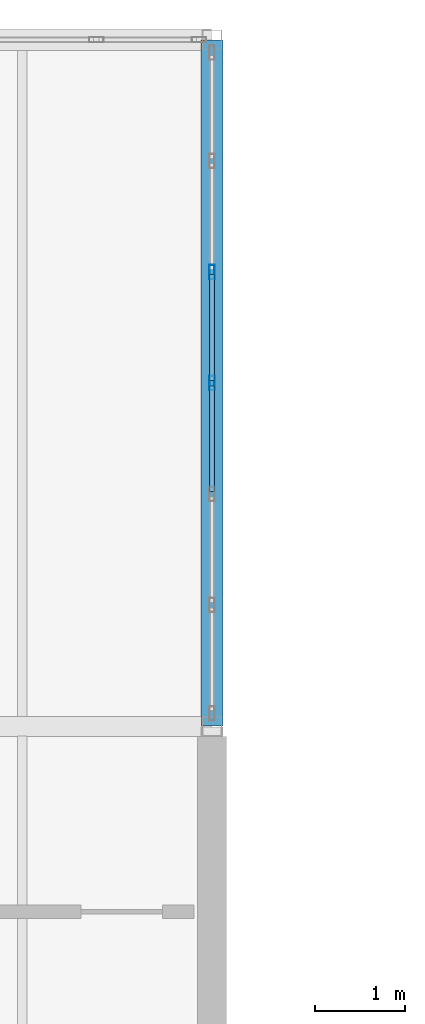
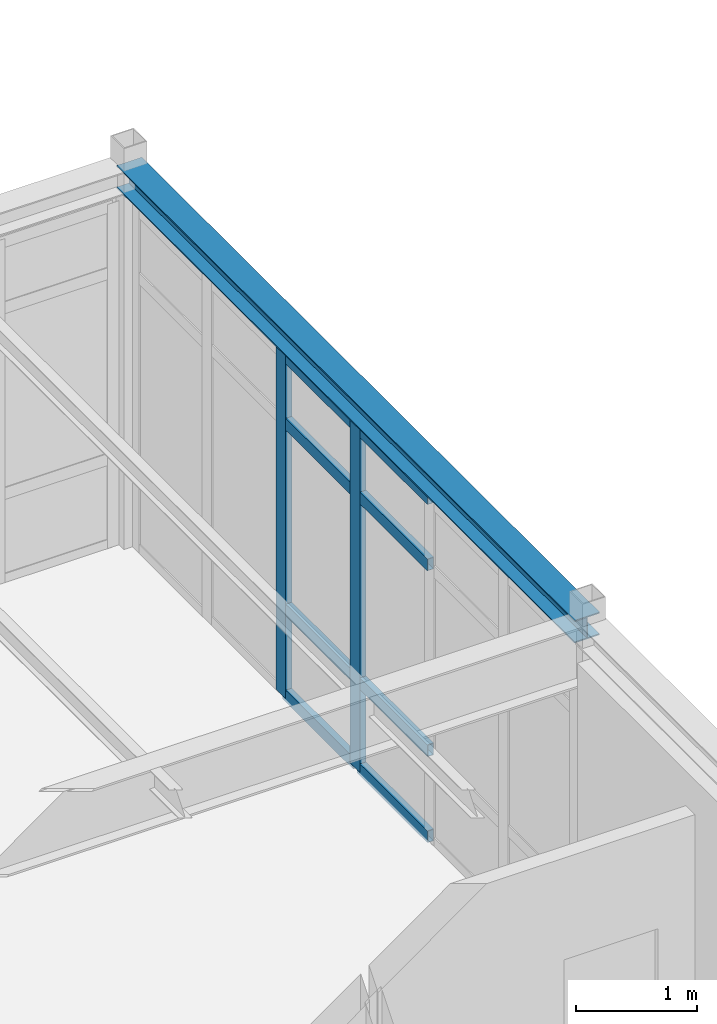
# One storey, part 51 of 114: 10 members, 1 beam, 1 element without a shape of its own.
"""IFC4 building model written with IfcOpenShell, lengths in metres."""

from ifc_helpers import new_model, si_unit, direction, frame, origin, origin_2d, place, context, subcontext, project, spatial, hollow_rectangle, i_section, extrude, material, layer, layer_set, material_profile, profile_set, type_object, element, aggregate, save


model = new_model("IFC4")

# Units and contexts
model_context = context("Model", 3, precision=1e-05, world=origin(), true_north=direction((0.0, 1.0)))
body_context = subcontext(model_context, "Body", "Model", "MODEL_VIEW")
ifc_project = project(units=[si_unit("LENGTHUNIT", "METRE"), si_unit("AREAUNIT", "SQUARE_METRE"), si_unit("VOLUMEUNIT", "CUBIC_METRE"), si_unit("PLANEANGLEUNIT", "RADIAN"), si_unit("MASSUNIT", "GRAM", prefix="KILO")], contexts=[model_context])

# Site, building, storey
site_placement = place(None, origin())
site = spatial("IfcSite", under=ifc_project, at=site_placement, CompositionType="ELEMENT")
building_placement = place(site_placement, origin())
building = spatial("IfcBuilding", under=site, at=building_placement, Name="Montecoro Central Library", CompositionType="ELEMENT")
storey_placement = place(building_placement, frame((0.0, 0.0, 13.260009765625)))
storey = spatial("IfcBuildingStorey", under=building, at=storey_placement, Name="L03", CompositionType="ELEMENT", Elevation=13.260009765625)

# Beam
ifc_material_1 = material(Name="Steel S355", Category="steel")
ifc_material_profile_1 = material_profile(ifc_material_1, i_section(OverallWidth=0.239990234375, OverallDepth=0.22998046875, WebThickness=0.007568359375, FlangeThickness=0.011962890625, at=origin_2d()), Name="HEA 240")
ifc_profile_set_1 = profile_set([ifc_material_profile_1], Name="Steel S355")
beam_type = type_object("IfcBeamType", Name="BM-SP-HEA240", PredefinedType="SPANDREL", material=ifc_profile_set_1)
beam_placement = place(storey_placement, frame((116.800048828125, 111.405029296875, 3.7099609375), z_axis=(0.0, 1.0, 0.0), x_axis=(-1.0, 0.0, 0.0)))
element("IfcBeam", 1, at=beam_placement, inside=storey, type_object=beam_type, Name="V2-L03-BY-15-QR", PredefinedType="SPANDREL", context=body_context, shape_type="SweptSolid", body=[
    extrude(i_section(OverallWidth=0.239990234375, OverallDepth=0.22998046875, WebThickness=0.007568359375, FlangeThickness=0.011962890625, at=origin_2d()), origin(), (0.0, 0.0, 1.0), 7.590087890625),
])

# Curtain wall, members
ifc_material_2 = material(Name="Bronze-anodised aluminium and low-E glazing", Category="aluminium")
ifc_layer = layer(ifc_material_2, 0.159912109375)
ifc_layer_set = layer_set([ifc_layer], Name="Bronze-anodised aluminium and low-E glazing")
curtain_wall_type = type_object("IfcCurtainWallType", Name="CWT-018", PredefinedType="NOTDEFINED", material=ifc_layer_set)
curtain_wall_placement = place(storey_placement, origin())
curtain_wall = element("IfcCurtainWall", 2, at=curtain_wall_placement, inside=storey, type_object=curtain_wall_type, Name="V2-L03-CW-E3", PredefinedType="NOTDEFINED")
ifc_material_3 = material(Name="Bronze-anodised aluminium", Category="aluminium")
ifc_material_profile_2 = material_profile(ifc_material_3, hollow_rectangle(XDim=0.06005859375, YDim=0.159912109375, WallThickness=0.00390625, at=origin_2d()), Name="CWM 160x60x4.0")
ifc_profile_set_2 = profile_set([ifc_material_profile_2], Name="Bronze-anodised aluminium")
member_type_1 = type_object("IfcMemberType", Name="CWM-BRZ-60", PredefinedType="MULLION", material=ifc_profile_set_2)
member_1_placement = place(storey_placement, frame((116.800048828125, 115.199951171875, 0.0), z_axis=(0.0, 0.0, 1.0), x_axis=(-1.0, 0.0, 0.0)))
member_1 = element("IfcMember", 3, at=member_1_placement, type_object=member_type_1, Name="CW-018 mullion 4", PredefinedType="MULLION", context=body_context, shape_type="SweptSolid", body=[
    extrude(hollow_rectangle(XDim=0.06005859375, YDim=0.159912109375, WallThickness=0.00390625, at=origin_2d()), origin(), (0.0, 0.0, 1.0), 3.47998046875),
])
member_2_placement = place(storey_placement, frame((116.800048828125, 116.428955078125, 0.0), z_axis=(0.0, 0.0, 1.0), x_axis=(-1.0, 0.0, 0.0)))
member_2 = element("IfcMember", 4, at=member_2_placement, type_object=member_type_1, Name="CW-018 mullion 5", PredefinedType="MULLION", context=body_context, shape_type="SweptSolid", body=[
    extrude(hollow_rectangle(XDim=0.06005859375, YDim=0.159912109375, WallThickness=0.00390625, at=origin_2d()), origin(), (0.0, 0.0, 1.0), 3.47998046875),
])
ifc_material_profile_3 = material_profile(ifc_material_3, hollow_rectangle(XDim=0.06005859375, YDim=0.1201171875, WallThickness=0.00390625, at=origin_2d()), Name="CWT 120x60x4.0")
ifc_profile_set_3 = profile_set([ifc_material_profile_3], Name="Bronze-anodised aluminium")
member_type_2 = type_object("IfcMemberType", Name="CWT-BRZ-60", PredefinedType="USERDEFINED", material=ifc_profile_set_3)
member_3_placement = place(storey_placement, frame((116.800048828125, 114.0009765625, 0.030029296875), z_axis=(0.0, 1.0, 0.0), x_axis=(-1.0, 0.0, 0.0)))
member_3 = element("IfcMember", 5, at=member_3_placement, type_object=member_type_2, Name="CW-018 transom 3.1", ObjectType="TRANSOM", PredefinedType="USERDEFINED", context=body_context, shape_type="SweptSolid", body=[
    extrude(hollow_rectangle(XDim=0.06005859375, YDim=0.1201171875, WallThickness=0.00390625, at=origin_2d()), origin(), (0.0, 0.0, 1.0), 1.1689453125),
])
member_4_placement = place(storey_placement, frame((116.800048828125, 114.0009765625, 0.89990234375), z_axis=(0.0, 1.0, 0.0), x_axis=(-1.0, 0.0, 0.0)))
member_4 = element("IfcMember", 6, at=member_4_placement, type_object=member_type_2, Name="CW-018 transom 3.2", ObjectType="TRANSOM", PredefinedType="USERDEFINED", context=body_context, shape_type="SweptSolid", body=[
    extrude(hollow_rectangle(XDim=0.06005859375, YDim=0.1201171875, WallThickness=0.00390625, at=origin_2d()), origin(), (0.0, 0.0, 1.0), 1.1689453125),
])
member_5_placement = place(storey_placement, frame((116.800048828125, 114.0009765625, 2.780029296875), z_axis=(0.0, 1.0, 0.0), x_axis=(-1.0, 0.0, 0.0)))
member_5 = element("IfcMember", 7, at=member_5_placement, type_object=member_type_2, Name="CW-018 transom 3.3", ObjectType="TRANSOM", PredefinedType="USERDEFINED", context=body_context, shape_type="SweptSolid", body=[
    extrude(hollow_rectangle(XDim=0.06005859375, YDim=0.1201171875, WallThickness=0.00390625, at=origin_2d()), origin(), (0.0, 0.0, 1.0), 1.1689453125),
])
member_6_placement = place(storey_placement, frame((116.800048828125, 114.0009765625, 3.449951171875), z_axis=(0.0, 1.0, 0.0), x_axis=(-1.0, 0.0, 0.0)))
member_6 = element("IfcMember", 8, at=member_6_placement, type_object=member_type_2, Name="CW-018 transom 3.4", ObjectType="TRANSOM", PredefinedType="USERDEFINED", context=body_context, shape_type="SweptSolid", body=[
    extrude(hollow_rectangle(XDim=0.06005859375, YDim=0.1201171875, WallThickness=0.00390625, at=origin_2d()), origin(), (0.0, 0.0, 1.0), 1.1689453125),
])
member_7_placement = place(storey_placement, frame((116.800048828125, 115.22998046875, 0.030029296875), z_axis=(0.0, 1.0, 0.0), x_axis=(-1.0, 0.0, 0.0)))
member_7 = element("IfcMember", 9, at=member_7_placement, type_object=member_type_2, Name="CW-018 transom 4.1", ObjectType="TRANSOM", PredefinedType="USERDEFINED", context=body_context, shape_type="SweptSolid", body=[
    extrude(hollow_rectangle(XDim=0.06005859375, YDim=0.1201171875, WallThickness=0.00390625, at=origin_2d()), origin(), (0.0, 0.0, 1.0), 1.1689453125),
])
member_8_placement = place(storey_placement, frame((116.800048828125, 115.22998046875, 0.89990234375), z_axis=(0.0, 1.0, 0.0), x_axis=(-1.0, 0.0, 0.0)))
member_8 = element("IfcMember", 10, at=member_8_placement, type_object=member_type_2, Name="CW-018 transom 4.2", ObjectType="TRANSOM", PredefinedType="USERDEFINED", context=body_context, shape_type="SweptSolid", body=[
    extrude(hollow_rectangle(XDim=0.06005859375, YDim=0.1201171875, WallThickness=0.00390625, at=origin_2d()), origin(), (0.0, 0.0, 1.0), 1.1689453125),
])
member_9_placement = place(storey_placement, frame((116.800048828125, 115.22998046875, 2.780029296875), z_axis=(0.0, 1.0, 0.0), x_axis=(-1.0, 0.0, 0.0)))
member_9 = element("IfcMember", 11, at=member_9_placement, type_object=member_type_2, Name="CW-018 transom 4.3", ObjectType="TRANSOM", PredefinedType="USERDEFINED", context=body_context, shape_type="SweptSolid", body=[
    extrude(hollow_rectangle(XDim=0.06005859375, YDim=0.1201171875, WallThickness=0.00390625, at=origin_2d()), origin(), (0.0, 0.0, 1.0), 1.1689453125),
])
member_10_placement = place(storey_placement, frame((116.800048828125, 115.22998046875, 3.449951171875), z_axis=(0.0, 1.0, 0.0), x_axis=(-1.0, 0.0, 0.0)))
member_10 = element("IfcMember", 12, at=member_10_placement, type_object=member_type_2, Name="CW-018 transom 4.4", ObjectType="TRANSOM", PredefinedType="USERDEFINED", context=body_context, shape_type="SweptSolid", body=[
    extrude(hollow_rectangle(XDim=0.06005859375, YDim=0.1201171875, WallThickness=0.00390625, at=origin_2d()), origin(), (0.0, 0.0, 1.0), 1.1689453125),
])
aggregate(curtain_wall, [member_1, member_2, member_3, member_4, member_5, member_6, member_7, member_8, member_9, member_10])

save(model, "model.ifc")
